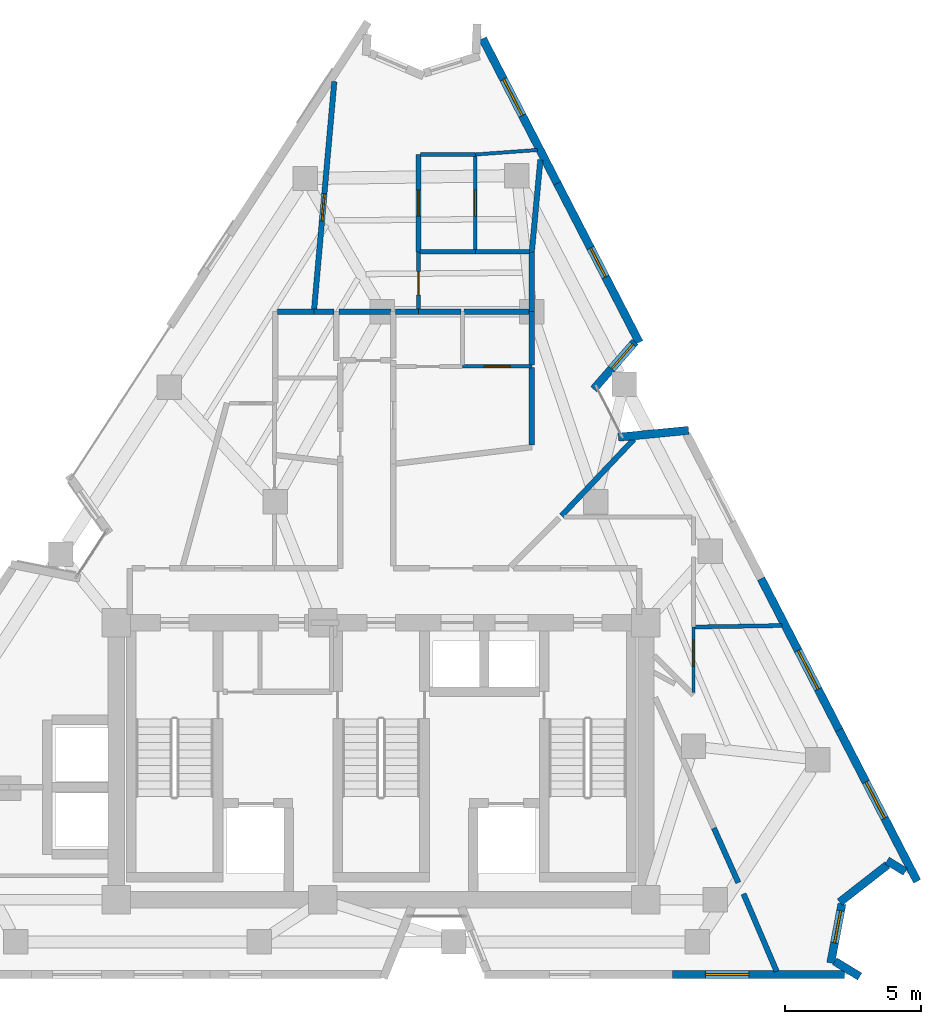
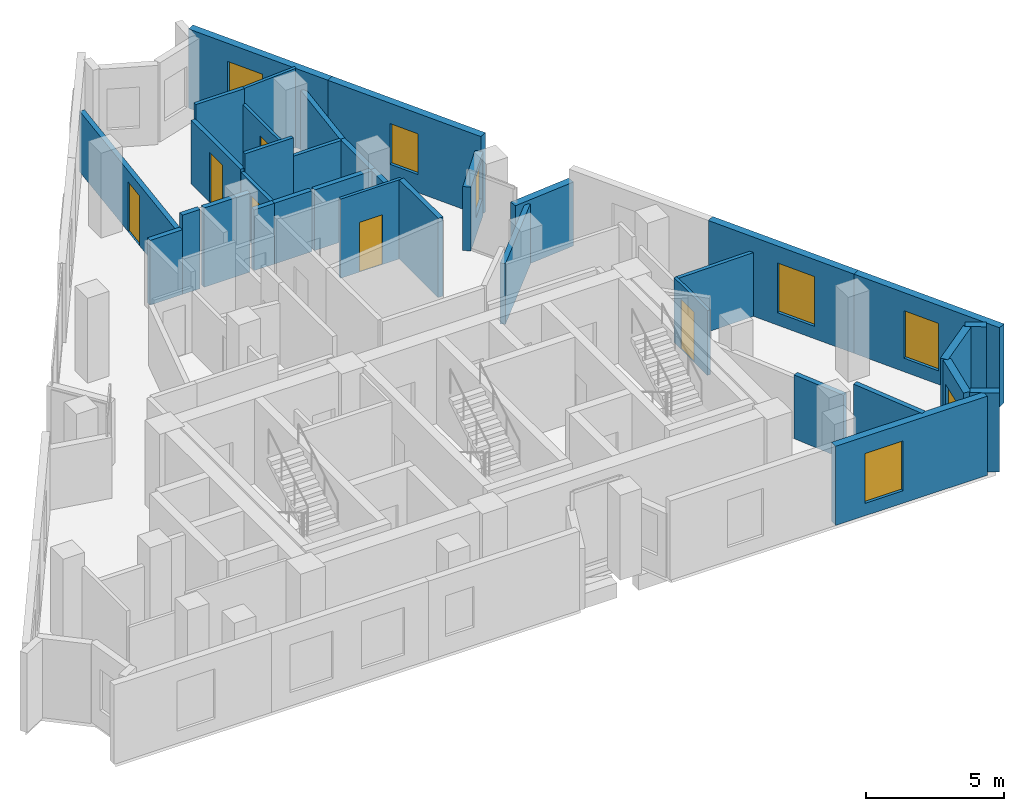
# One storey, part 7 of 9: 35 walls, 7 windows, 6 doors, 13 openings.
"""IFC4 building model written with IfcOpenShell, lengths in metres."""

from ifc_helpers import new_model, si_unit, direction, frame, frame_2d, origin, place, context, subcontext, project, spatial, rectangle, extrude, material, layer, layer_set, type_object, element, fill, save


model = new_model("IFC4")

# Units and contexts
model_context = context("Model", 3, precision=1e-05, world=origin(), true_north=direction((0.0, 1.0)))
body_context = subcontext(model_context, "Body", "Model", "MODEL_VIEW")
ifc_project = project(units=[si_unit("LENGTHUNIT", "METRE"), si_unit("AREAUNIT", "SQUARE_METRE"), si_unit("VOLUMEUNIT", "CUBIC_METRE"), si_unit("PLANEANGLEUNIT", "RADIAN"), si_unit("MASSUNIT", "GRAM", prefix="KILO")], contexts=[model_context])

# Site, building, storey
site_placement = place(None, origin())
site = spatial("IfcSite", under=ifc_project, at=site_placement, CompositionType="ELEMENT")
building_placement = place(site_placement, origin())
building = spatial("IfcBuilding", under=site, at=building_placement, Name="Almagre Mirador Tower", CompositionType="ELEMENT")
storey_placement = place(building_placement, frame((0.0, 0.0, 214.5)))
storey = spatial("IfcBuildingStorey", under=building, at=storey_placement, Name="L55", CompositionType="ELEMENT", Elevation=214.5)

# Wall, opening, window
ifc_material_1 = material(Name="Precast concrete C50/60", Category="concrete")
ifc_layer_1 = layer(ifc_material_1, 0.300048828125)
ifc_layer_set_1 = layer_set([ifc_layer_1], Name="Precast concrete C50/60")
wall_type_1 = type_object("IfcWallType", Name="WAL-EXT-300", PredefinedType="SOLIDWALL", material=ifc_layer_set_1)
wall_1_placement = place(storey_placement, frame((41.039306640625, 36.2451171875, 0.0), z_axis=(0.0, 0.0, 1.0), x_axis=(0.458292150172, -0.888801611773, 0.0)))
wall_1 = element("IfcWall", 1, at=wall_1_placement, inside=storey, type_object=wall_type_1, Name="L55 expressed almagre precast frame wall 09", PredefinedType="SOLIDWALL", context=body_context, shape_type="SweptSolid", body=[
    extrude(rectangle(XDim=5.9931640625, YDim=0.300048828125, at=frame_2d((2.99658203125, 0.0))), origin(), (0.0, 0.0, 1.0), 3.5),
])
opening_1_placement = place(wall_1_placement, frame((1.68505859375, 0.0, 0.60009765625)))
opening_1 = element("IfcOpeningElement", 2, at=opening_1_placement, cuts=wall_1, Name="Opening WN-03", PredefinedType="OPENING", context=body_context, shape_type="SweptSolid", body=[
    extrude(rectangle(XDim=1.5, YDim=2.10009765625, at=frame_2d((0.75, 1.050048828125))), frame((0.0, 0.159902, 0.0), z_axis=(0.0, -1.0, 0.0), x_axis=(1.0, 0.0, 0.0)), (0.0, 0.0, 1.0), 0.320049),
])
ifc_material_2 = material(Name="Dark solar-control laminated hurricane glass", Category="glass")
window_type_1 = type_object("IfcWindowType", Name="WIN-1500X2100", PartitioningType="DOUBLE_PANEL_VERTICAL", PredefinedType="WINDOW", material=ifc_material_2)
window_1_placement = place(opening_1_placement, origin())
window_1 = element("IfcWindow", 3, at=window_1_placement, inside=storey, type_object=window_type_1, Name="L55 recessed hurricane window L55-UL-ST", OverallHeight=2.10009765625, OverallWidth=1.5, PartitioningType="SINGLE_PANEL", PredefinedType="WINDOW", context=body_context, shape_type="SweptSolid", body=[
    extrude(rectangle(XDim=1.5, YDim=2.10009765625, at=frame_2d((0.75, 1.050048828125))), frame((0.0, 0.030029296875, 0.0), z_axis=(0.0, -1.0, 0.0), x_axis=(1.0, 0.0, 0.0)), (0.0, 0.0, 1.0), 0.06005859375),
])
fill(opening_1, window_1)

wall_2_placement = place(storey_placement, frame((43.785888671875, 30.91845703125, 0.0), z_axis=(0.0, 0.0, 1.0), x_axis=(0.458349099599, -0.888772244671, 0.0)))
wall_2 = element("IfcWall", 4, at=wall_2_placement, inside=storey, type_object=wall_type_1, Name="L55 expressed almagre precast frame wall 10", PredefinedType="SOLIDWALL", context=body_context, shape_type="SweptSolid", body=[
    extrude(rectangle(XDim=6.5830078125, YDim=0.300048828125, at=frame_2d((3.29150390625, 0.0))), origin(), (0.0, 0.0, 1.0), 3.5),
])
opening_2_placement = place(wall_2_placement, frame((2.675048828125, 0.0, 0.800048828125)))
opening_2 = element("IfcOpeningElement", 5, at=opening_2_placement, cuts=wall_2, Name="Opening WN-04", PredefinedType="OPENING", context=body_context, shape_type="SweptSolid", body=[
    extrude(rectangle(XDim=1.199951171875, YDim=1.800048828125, at=frame_2d((0.60009765625, 0.89990234375))), frame((0.0, 0.159902, 0.0), z_axis=(0.0, -1.0, 0.0), x_axis=(1.0, 0.0, 0.0)), (0.0, 0.0, 1.0), 0.320049),
])
ifc_material_3 = material(Name="Dark solar-control laminated hurricane glass", Category="glass")
window_type_2 = type_object("IfcWindowType", Name="WIN-1200X1800", PartitioningType="SINGLE_PANEL", PredefinedType="WINDOW", material=ifc_material_3)
window_2_placement = place(opening_2_placement, origin())
window_2 = element("IfcWindow", 6, at=window_2_placement, inside=storey, type_object=window_type_2, Name="L55 recessed hurricane window L55-RST-K", OverallHeight=1.800048828125, OverallWidth=1.199951171875, PartitioningType="SINGLE_PANEL", PredefinedType="WINDOW", context=body_context, shape_type="SweptSolid", body=[
    extrude(rectangle(XDim=1.199951171875, YDim=1.800048828125, at=frame_2d((0.60009765625, 0.89990234375))), frame((0.0, 0.030029296875, 0.0), z_axis=(0.0, -1.0, 0.0), x_axis=(1.0, 0.0, 0.0)), (0.0, 0.0, 1.0), 0.06005859375),
])
fill(opening_2, window_2)

wall_3_placement = place(storey_placement, frame((46.647216796875, 25.08642578125, 0.0), z_axis=(0.0, 0.0, 1.0), x_axis=(-0.656860073981, -0.754012495394, 0.0)))
wall_3 = element("IfcWall", 7, at=wall_3_placement, inside=storey, type_object=wall_type_1, Name="L55 expressed almagre precast frame wall 11", PredefinedType="SOLIDWALL", context=body_context, shape_type="SweptSolid", body=[
    extrude(rectangle(XDim=2.314453125, YDim=0.300048828125, at=frame_2d((1.1572265625, 0.0))), origin(), (0.0, 0.0, 1.0), 2.824951171875),
])
opening_3_placement = place(wall_3_placement, frame((0.1201171875, 0.0, 0.800048828125)))
opening_3 = element("IfcOpeningElement", 8, at=opening_3_placement, cuts=wall_3, Name="Opening WN-04", PredefinedType="OPENING", context=body_context, shape_type="SweptSolid", body=[
    extrude(rectangle(XDim=1.199951171875, YDim=1.800048828125, at=frame_2d((0.60009765625, 0.89990234375))), frame((0.0, 0.159902, 0.0), z_axis=(0.0, -1.0, 0.0), x_axis=(1.0, 0.0, 0.0)), (0.0, 0.0, 1.0), 0.320049),
])
window_3_placement = place(opening_3_placement, origin())
window_3 = element("IfcWindow", 9, at=window_3_placement, inside=storey, type_object=window_type_2, Name="L55 recessed hurricane window L55-RST-K", OverallHeight=1.800048828125, OverallWidth=1.199951171875, PartitioningType="SINGLE_PANEL", PredefinedType="WINDOW", context=body_context, shape_type="SweptSolid", body=[
    extrude(rectangle(XDim=1.199951171875, YDim=1.800048828125, at=frame_2d((0.60009765625, 0.89990234375))), frame((0.0, 0.030029296875, 0.0), z_axis=(0.0, -1.0, 0.0), x_axis=(1.0, 0.0, 0.0)), (0.0, 0.0, 1.0), 0.06005859375),
])
fill(opening_3, window_3)

# Wall
wall_4_placement = place(storey_placement, frame((46.03759765625, 21.575439453125, 0.0), z_axis=(0.0, 0.0, 1.0), x_axis=(0.995262869225, 0.097220476965, 0.0)))
element("IfcWall", 10, at=wall_4_placement, inside=storey, type_object=wall_type_1, Name="L55 expressed almagre precast frame wall 12", PredefinedType="SOLIDWALL", context=body_context, shape_type="SweptSolid", body=[
    extrude(rectangle(XDim=2.593994140625, YDim=0.300048828125, at=frame_2d((1.296875, 0.0))), origin(), (0.0, 0.0, 1.0), 2.824951171875),
])

# Wall, opening, window
wall_5_placement = place(storey_placement, frame((51.28759765625, 16.369140625, 0.0), z_axis=(0.0, 0.0, 1.0), x_axis=(0.458306446078, -0.88879424024, 0.0)))
wall_5 = element("IfcWall", 11, at=wall_5_placement, inside=storey, type_object=wall_type_1, Name="L55 expressed almagre precast frame wall 14", PredefinedType="SOLIDWALL", context=body_context, shape_type="SweptSolid", body=[
    extrude(rectangle(XDim=6.26611328125, YDim=0.300048828125, at=frame_2d((3.133056640625, 0.0))), origin(), (0.0, 0.0, 1.0), 3.5),
])
opening_4_placement = place(wall_5_placement, frame((2.97509765625, 0.0, 0.550048828125)))
opening_4 = element("IfcOpeningElement", 12, at=opening_4_placement, cuts=wall_5, Name="Opening WN-06", PredefinedType="OPENING", context=body_context, shape_type="SweptSolid", body=[
    extrude(rectangle(XDim=1.60009765625, YDim=2.199951171875, at=frame_2d((0.800048828125, 1.10009765625))), frame((0.0, 0.159902, 0.0), z_axis=(0.0, -1.0, 0.0), x_axis=(1.0, 0.0, 0.0)), (0.0, 0.0, 1.0), 0.320049),
])
ifc_material_4 = material(Name="Dark solar-control laminated hurricane glass", Category="glass")
window_type_3 = type_object("IfcWindowType", Name="WIN-1600X2200", PartitioningType="DOUBLE_PANEL_VERTICAL", PredefinedType="WINDOW", material=ifc_material_4)
window_4_placement = place(opening_4_placement, origin())
window_4 = element("IfcWindow", 13, at=window_4_placement, inside=storey, type_object=window_type_3, Name="L55 recessed hurricane window L55-UE-KT", OverallHeight=2.199951171875, OverallWidth=1.60009765625, PartitioningType="SINGLE_PANEL", PredefinedType="WINDOW", context=body_context, shape_type="SweptSolid", body=[
    extrude(rectangle(XDim=1.60009765625, YDim=2.199951171875, at=frame_2d((0.800048828125, 1.10009765625))), frame((0.0, 0.030029296875, 0.0), z_axis=(0.0, -1.0, 0.0), x_axis=(1.0, 0.0, 0.0)), (0.0, 0.0, 1.0), 0.06005859375),
])
fill(opening_4, window_4)

wall_6_placement = place(storey_placement, frame((54.159423828125, 10.7998046875, 0.0), z_axis=(0.0, 0.0, 1.0), x_axis=(0.458322317218, -0.888786056113, 0.0)))
wall_6 = element("IfcWall", 14, at=wall_6_placement, inside=storey, type_object=wall_type_1, Name="L55 expressed almagre precast frame wall 15", PredefinedType="SOLIDWALL", context=body_context, shape_type="SweptSolid", body=[
    extrude(rectangle(XDim=6.265869140625, YDim=0.300048828125, at=frame_2d((3.1328125, 0.0))), origin(), (0.0, 0.0, 1.0), 3.5),
])
opening_5_placement = place(wall_6_placement, frame((2.14990234375, 0.0, 0.60009765625)))
opening_5 = element("IfcOpeningElement", 15, at=opening_5_placement, cuts=wall_6, Name="Opening WN-03", PredefinedType="OPENING", context=body_context, shape_type="SweptSolid", body=[
    extrude(rectangle(XDim=1.5, YDim=2.10009765625, at=frame_2d((0.75, 1.050048828125))), frame((0.0, 0.159902, 0.0), z_axis=(0.0, -1.0, 0.0), x_axis=(1.0, 0.0, 0.0)), (0.0, 0.0, 1.0), 0.320049),
])
window_5_placement = place(opening_5_placement, origin())
window_5 = element("IfcWindow", 16, at=window_5_placement, inside=storey, type_object=window_type_1, Name="L55 recessed hurricane window L55-UE-KT", OverallHeight=2.10009765625, OverallWidth=1.5, PartitioningType="SINGLE_PANEL", PredefinedType="WINDOW", context=body_context, shape_type="SweptSolid", body=[
    extrude(rectangle(XDim=1.5, YDim=2.10009765625, at=frame_2d((0.75, 1.050048828125))), frame((0.0, 0.030029296875, 0.0), z_axis=(0.0, -1.0, 0.0), x_axis=(1.0, 0.0, 0.0)), (0.0, 0.0, 1.0), 0.06005859375),
])
fill(opening_5, window_5)

# Walls
wall_7_placement = place(storey_placement, frame((56.595458984375, 5.581298828125, 0.0), z_axis=(0.0, 0.0, 1.0), x_axis=(-0.853681479387, 0.520795479772, 0.0)))
element("IfcWall", 17, at=wall_7_placement, inside=storey, type_object=wall_type_1, Name="L55 expressed almagre precast frame wall 16", PredefinedType="SOLIDWALL", context=body_context, shape_type="SweptSolid", body=[
    extrude(rectangle(XDim=0.78466796875, YDim=0.300048828125, at=frame_2d((0.392333984375, 0.0))), origin(), (0.0, 0.0, 1.0), 3.5),
])
wall_8_placement = place(storey_placement, frame((55.938720703125, 5.833984375, 0.0), z_axis=(0.0, 0.0, 1.0), x_axis=(-0.788331324268, -0.615250943256, 0.0)))
element("IfcWall", 18, at=wall_8_placement, inside=storey, type_object=wall_type_1, Name="L55 expressed almagre precast frame wall 17", PredefinedType="SOLIDWALL", context=body_context, shape_type="SweptSolid", body=[
    extrude(rectangle(XDim=2.22998046875, YDim=0.300048828125, at=frame_2d((1.114990234375, 0.0))), origin(), (0.0, 0.0, 1.0), 3.5),
])

# Wall, opening, window
wall_9_placement = place(storey_placement, frame((54.26318359375, 4.400634765625, 0.0), z_axis=(0.0, 0.0, 1.0), x_axis=(-0.185632792315, -0.982619186876, 0.0)))
wall_9 = element("IfcWall", 19, at=wall_9_placement, inside=storey, type_object=wall_type_1, Name="L55 expressed almagre precast frame wall 18", PredefinedType="SOLIDWALL", context=body_context, shape_type="SweptSolid", body=[
    extrude(rectangle(XDim=2.21484375, YDim=0.300048828125, at=frame_2d((1.107421875, 0.0))), origin(), (0.0, 0.0, 1.0), 3.5),
])
opening_6_placement = place(wall_9_placement, frame((0.260009765625, 0.0, 0.800048828125)))
opening_6 = element("IfcOpeningElement", 20, at=opening_6_placement, cuts=wall_9, Name="Opening WN-04", PredefinedType="OPENING", context=body_context, shape_type="SweptSolid", body=[
    extrude(rectangle(XDim=1.199951171875, YDim=1.800048828125, at=frame_2d((0.60009765625, 0.89990234375))), frame((0.0, 0.159902, 0.0), z_axis=(0.0, -1.0, 0.0), x_axis=(1.0, 0.0, 0.0)), (0.0, 0.0, 1.0), 0.320049),
])
window_6_placement = place(opening_6_placement, origin())
window_6 = element("IfcWindow", 21, at=window_6_placement, inside=storey, type_object=window_type_2, Name="L55 recessed hurricane window L55-RST-C", OverallHeight=1.800048828125, OverallWidth=1.199951171875, PartitioningType="SINGLE_PANEL", PredefinedType="WINDOW", context=body_context, shape_type="SweptSolid", body=[
    extrude(rectangle(XDim=1.199951171875, YDim=1.800048828125, at=frame_2d((0.60009765625, 0.89990234375))), frame((0.0, 0.030029296875, 0.0), z_axis=(0.0, -1.0, 0.0), x_axis=(1.0, 0.0, 0.0)), (0.0, 0.0, 1.0), 0.06005859375),
])
fill(opening_6, window_6)

# Wall
wall_10_placement = place(storey_placement, frame((53.99755859375, 2.2890625, 0.0), z_axis=(0.0, 0.0, 1.0), x_axis=(0.853840299064, -0.520535055203, 0.0)))
element("IfcWall", 22, at=wall_10_placement, inside=storey, type_object=wall_type_1, Name="L55 expressed almagre precast frame wall 19", PredefinedType="SOLIDWALL", context=body_context, shape_type="SweptSolid", body=[
    extrude(rectangle(XDim=1.07958984375, YDim=0.300048828125, at=frame_2d((0.539794921875, 0.0))), origin(), (0.0, 0.0, 1.0), 3.5),
])

# Wall, opening, window
wall_11_placement = place(storey_placement, frame((54.360107421875, 1.800048828125, 0.0), z_axis=(0.0, 0.0, 1.0), x_axis=(-1.0, 0.0, 0.0)))
wall_11 = element("IfcWall", 23, at=wall_11_placement, inside=storey, type_object=wall_type_1, Name="L55 expressed almagre precast frame wall 20", PredefinedType="SOLIDWALL", context=body_context, shape_type="SweptSolid", body=[
    extrude(rectangle(XDim=6.338134765625, YDim=0.300048828125, at=frame_2d((3.1689453125, 0.0))), origin(), (0.0, 0.0, 1.0), 3.5),
])
opening_7_placement = place(wall_11_placement, frame((3.52001953125, 0.0, 0.550048828125)))
opening_7 = element("IfcOpeningElement", 24, at=opening_7_placement, cuts=wall_11, Name="Opening WN-06", PredefinedType="OPENING", context=body_context, shape_type="SweptSolid", body=[
    extrude(rectangle(XDim=1.60009765625, YDim=2.199951171875, at=frame_2d((0.800048828125, 1.10009765625))), frame((0.0, 0.159902, 0.0), z_axis=(0.0, -1.0, 0.0), x_axis=(1.0, 0.0, 0.0)), (0.0, 0.0, 1.0), 0.320049),
])
window_7_placement = place(opening_7_placement, origin())
window_7 = element("IfcWindow", 25, at=window_7_placement, inside=storey, type_object=window_type_3, Name="L55 recessed hurricane window L55-UB-ST", OverallHeight=2.199951171875, OverallWidth=1.60009765625, PartitioningType="SINGLE_PANEL", PredefinedType="WINDOW", context=body_context, shape_type="SweptSolid", body=[
    extrude(rectangle(XDim=1.60009765625, YDim=2.199951171875, at=frame_2d((0.800048828125, 1.10009765625))), frame((0.0, 0.030029296875, 0.0), z_axis=(0.0, -1.0, 0.0), x_axis=(1.0, 0.0, 0.0)), (0.0, 0.0, 1.0), 0.06005859375),
])
fill(opening_7, window_7)

# Wall, opening, door
ifc_material_5 = material(Name="Gypsum acoustic stud partition", Category="other")
ifc_layer_2 = layer(ifc_material_5, 0.125)
ifc_layer_set_2 = layer_set([ifc_layer_2], Name="Gypsum acoustic stud partition")
wall_type_2 = type_object("IfcWallType", Name="WAL-PRT-125-UTL", PredefinedType="PARTITIONING", material=ifc_layer_set_2)
wall_12_placement = place(storey_placement, frame((48.800048828125, 12.175048828125, 0.0), z_axis=(0.0, 0.0, 1.0), x_axis=(0.0, 1.0, 0.0)))
wall_12 = element("IfcWall", 26, at=wall_12_placement, inside=storey, type_object=wall_type_2, Name="L55 interior partition 036", PredefinedType="PARTITIONING", context=body_context, shape_type="SweptSolid", body=[
    extrude(rectangle(XDim=2.4150390625, YDim=0.125, at=frame_2d((1.20751953125, 0.0))), origin(), (0.0, 0.0, 1.0), 2.85888671875),
])
opening_8_placement = place(wall_12_placement, frame((0.978515625, 0.0, 0.0)))
opening_8 = element("IfcOpeningElement", 27, at=opening_8_placement, cuts=wall_12, Name="Opening UD-01", PredefinedType="OPENING", context=body_context, shape_type="SweptSolid", body=[
    extrude(rectangle(XDim=0.949951171875, YDim=2.199951171875, at=frame_2d((0.47509765625, 1.10009765625))), frame((0.0, 0.0725, 0.0), z_axis=(0.0, -1.0, 0.0), x_axis=(1.0, 0.0, 0.0)), (0.0, 0.0, 1.0), 0.145),
])
ifc_material_6 = material(Name="Solid American walnut timber", Category="wood")
door_type_1 = type_object("IfcDoorType", Name="DOR-UNR-950X2200", OperationType="NOTDEFINED", PredefinedType="DOOR", material=ifc_material_6)
door_1_placement = place(opening_8_placement, origin())
door_1 = element("IfcDoor", 28, at=door_1_placement, inside=storey, type_object=door_type_1, Name="DR-1708 L55 interior door L55-UE-ST to L55-UE-KT", OperationType="SINGLE_SWING_RIGHT", OverallHeight=2.199951171875, OverallWidth=0.949951171875, PredefinedType="DOOR", context=body_context, shape_type="SweptSolid", body=[
    extrude(rectangle(XDim=0.949951171875, YDim=2.199951171875, at=frame_2d((0.47509765625, 1.10009765625))), frame((0.0, 0.02490234375, 0.0), z_axis=(0.0, -1.0, 0.0), x_axis=(1.0, 0.0, 0.0)), (0.0, 0.0, 1.0), 0.050048828125),
])
fill(opening_8, door_1)

wall_13_placement = place(storey_placement, frame((42.85009765625, 24.179931640625, 0.0), z_axis=(0.0, 0.0, 1.0), x_axis=(-1.0, 0.0, 0.0)))
wall_13 = element("IfcWall", 29, at=wall_13_placement, inside=storey, type_object=wall_type_2, Name="L55 interior partition 059", PredefinedType="PARTITIONING", context=body_context, shape_type="SweptSolid", body=[
    extrude(rectangle(XDim=2.550048828125, YDim=0.125, at=frame_2d((1.27490234375, 0.0))), origin(), (0.0, 0.0, 1.0), 3.5),
])
opening_9_placement = place(wall_13_placement, frame((0.800048828125, 0.0, 0.0)))
opening_9 = element("IfcOpeningElement", 30, at=opening_9_placement, cuts=wall_13, Name="Opening UD-01", PredefinedType="OPENING", context=body_context, shape_type="SweptSolid", body=[
    extrude(rectangle(XDim=0.949951171875, YDim=2.199951171875, at=frame_2d((0.47509765625, 1.10009765625))), frame((0.0, 0.0725, 0.0), z_axis=(0.0, -1.0, 0.0), x_axis=(1.0, 0.0, 0.0)), (0.0, 0.0, 1.0), 0.145),
])
door_2_placement = place(opening_9_placement, origin())
door_2 = element("IfcDoor", 31, at=door_2_placement, inside=storey, type_object=door_type_1, Name="DR-1714 L55 interior door L55-UJ-ST to L55-UJ-KT", OperationType="SINGLE_SWING_LEFT", OverallHeight=2.199951171875, OverallWidth=0.949951171875, PredefinedType="DOOR", context=body_context, shape_type="SweptSolid", body=[
    extrude(rectangle(XDim=0.949951171875, YDim=2.199951171875, at=frame_2d((0.47509765625, 1.10009765625))), frame((0.0, 0.02490234375, 0.0), z_axis=(0.0, -1.0, 0.0), x_axis=(1.0, 0.0, 0.0)), (0.0, 0.0, 1.0), 0.050048828125),
])
fill(opening_9, door_2)

# Wall
wall_14_placement = place(storey_placement, frame((40.77001953125, 31.97998046875, 0.0), z_axis=(0.0, 0.0, 1.0), x_axis=(0.997397150256, 0.072103568984, 0.0)))
element("IfcWall", 32, at=wall_14_placement, inside=storey, type_object=wall_type_2, Name="L55 interior partition 071", PredefinedType="PARTITIONING", context=body_context, shape_type="SweptSolid", body=[
    extrude(rectangle(XDim=2.288818359375, YDim=0.125, at=frame_2d((1.14453125, 0.0))), origin(), (0.0, 0.0, 1.0), 3.5),
])

# Wall, opening, door
wall_15_placement = place(storey_placement, frame((40.77001953125, 31.9326171875, 0.0), z_axis=(0.0, 0.0, 1.0), x_axis=(0.0, -1.0, 0.0)))
wall_15 = element("IfcWall", 33, at=wall_15_placement, inside=storey, type_object=wall_type_2, Name="L55 interior partition 076", PredefinedType="PARTITIONING", context=body_context, shape_type="SweptSolid", body=[
    extrude(rectangle(XDim=3.47265625, YDim=0.125, at=frame_2d((1.736328125, 0.0))), origin(), (0.0, 0.0, 1.0), 2.820068359375),
])
opening_10_placement = place(wall_15_placement, frame((1.267578125, 0.0, 0.0)))
opening_10 = element("IfcOpeningElement", 34, at=opening_10_placement, cuts=wall_15, Name="Opening UD-01", PredefinedType="OPENING", context=body_context, shape_type="SweptSolid", body=[
    extrude(rectangle(XDim=0.949951171875, YDim=2.199951171875, at=frame_2d((0.47509765625, 1.10009765625))), frame((0.0, 0.0725, 0.0), z_axis=(0.0, -1.0, 0.0), x_axis=(1.0, 0.0, 0.0)), (0.0, 0.0, 1.0), 0.145),
])
door_3_placement = place(opening_10_placement, origin())
door_3 = element("IfcDoor", 35, at=door_3_placement, inside=storey, type_object=door_type_1, Name="DR-1716 L55 interior door L55-UL-KT to L55-UL-ST1", OperationType="SINGLE_SWING_RIGHT", OverallHeight=2.199951171875, OverallWidth=0.949951171875, PredefinedType="DOOR", context=body_context, shape_type="SweptSolid", body=[
    extrude(rectangle(XDim=0.949951171875, YDim=2.199951171875, at=frame_2d((0.47509765625, 1.10009765625))), frame((0.0, 0.02490234375, 0.0), z_axis=(0.0, -1.0, 0.0), x_axis=(1.0, 0.0, 0.0)), (0.0, 0.0, 1.0), 0.050048828125),
])
fill(opening_10, door_3)

# Wall
ifc_material_7 = material(Name="Gypsum acoustic stud partition", Category="other")
ifc_layer_3 = layer(ifc_material_7, 0.14990234375)
ifc_layer_set_3 = layer_set([ifc_layer_3], Name="Gypsum acoustic stud partition")
wall_type_3 = type_object("IfcWallType", Name="WAL-PRT-150-STD", PredefinedType="PARTITIONING", material=ifc_layer_set_3)
wall_16_placement = place(storey_placement, frame((52.051025390625, 14.64306640625, 0.0), z_axis=(0.0, 0.0, 1.0), x_axis=(-0.999865797865, -0.016382498593, 0.0)))
element("IfcWall", 36, at=wall_16_placement, inside=storey, type_object=wall_type_3, Name="L55 interior partition 041", PredefinedType="PARTITIONING", context=body_context, shape_type="SweptSolid", body=[
    extrude(rectangle(XDim=3.2041015625, YDim=0.14990234375, at=frame_2d((1.60205078125, 0.0))), origin(), (0.0, 0.0, 1.0), 2.820068359375),
])

# Wall, opening, door
wall_17_placement = place(storey_placement, frame((38.679931640625, 26.284912109375, 0.0), z_axis=(0.0, 0.0, 1.0), x_axis=(0.0, 1.0, 0.0)))
wall_17 = element("IfcWall", 37, at=wall_17_placement, inside=storey, type_object=wall_type_3, Name="L55 interior partition 070", PredefinedType="PARTITIONING", context=body_context, shape_type="SweptSolid", body=[
    extrude(rectangle(XDim=2.114990234375, YDim=0.14990234375, at=frame_2d((1.0576171875, 0.0))), origin(), (0.0, 0.0, 1.0), 2.68505859375),
])
opening_11_placement = place(wall_17_placement, frame((0.530517578125, 0.0, 0.0)))
opening_11 = element("IfcOpeningElement", 38, at=opening_11_placement, cuts=wall_17, Name="Opening UD-04", PredefinedType="OPENING", context=body_context, shape_type="SweptSolid", body=[
    extrude(rectangle(XDim=0.85009765625, YDim=2.10009765625, at=frame_2d((0.425048828125, 1.050048828125))), frame((0.0, 0.084951, 0.0), z_axis=(0.0, -1.0, 0.0), x_axis=(1.0, 0.0, 0.0)), (0.0, 0.0, 1.0), 0.169902),
])
ifc_material_8 = material(Name="Moisture-resistant oak timber", Category="wood")
door_type_2 = type_object("IfcDoorType", Name="DOR-UNR-850X2100", OperationType="NOTDEFINED", PredefinedType="DOOR", material=ifc_material_8)
door_4_placement = place(opening_11_placement, origin())
door_4 = element("IfcDoor", 39, at=door_4_placement, inside=storey, type_object=door_type_2, Name="DR-1718 L55 interior door L55-UL-ST to L55-UL-HB", OperationType="SINGLE_SWING_RIGHT", OverallHeight=2.10009765625, OverallWidth=0.85009765625, PredefinedType="DOOR", context=body_context, shape_type="SweptSolid", body=[
    extrude(rectangle(XDim=0.85009765625, YDim=2.10009765625, at=frame_2d((0.425048828125, 1.050048828125))), frame((0.0, 0.02490234375, 0.0), z_axis=(0.0, -1.0, 0.0), x_axis=(1.0, 0.0, 0.0)), (0.0, 0.0, 1.0), 0.050048828125),
])
fill(opening_11, door_4)

# Walls
wall_18_placement = place(storey_placement, frame((38.75244140625, 31.97998046875, 0.0), z_axis=(0.0, 0.0, 1.0), x_axis=(1.0, 0.0, 0.0)))
element("IfcWall", 40, at=wall_18_placement, inside=storey, type_object=wall_type_3, Name="L55 interior partition 073", PredefinedType="PARTITIONING", context=body_context, shape_type="SweptSolid", body=[
    extrude(rectangle(XDim=2.017578125, YDim=0.14990234375, at=frame_2d((1.0087890625, 0.0))), origin(), (0.0, 0.0, 1.0), 3.5),
])
wall_19_placement = place(storey_placement, frame((42.764892578125, 28.39990234375, 0.0), z_axis=(0.0, 0.0, 1.0), x_axis=(-1.0, 0.0, 0.0)))
element("IfcWall", 41, at=wall_19_placement, inside=storey, type_object=wall_type_3, Name="L55 interior partition 074", PredefinedType="PARTITIONING", context=body_context, shape_type="SweptSolid", body=[
    extrude(rectangle(XDim=1.994873046875, YDim=0.14990234375, at=frame_2d((0.99755859375, 0.0))), origin(), (0.0, 0.0, 1.0), 2.68505859375),
])
wall_20_placement = place(storey_placement, frame((40.77001953125, 28.39990234375, 0.0), z_axis=(0.0, 0.0, 1.0), x_axis=(-1.0, 0.0, 0.0)))
element("IfcWall", 42, at=wall_20_placement, inside=storey, type_object=wall_type_3, Name="L55 interior partition 075", PredefinedType="PARTITIONING", context=body_context, shape_type="SweptSolid", body=[
    extrude(rectangle(XDim=2.030029296875, YDim=0.14990234375, at=frame_2d((1.01513671875, 0.0))), origin(), (0.0, 0.0, 1.0), 3.5),
])

# Wall, opening, door
ifc_material_9 = material(Name="Gypsum acoustic stud partition", Category="other")
ifc_layer_4 = layer(ifc_material_9, 0.175048828125)
ifc_layer_set_4 = layer_set([ifc_layer_4], Name="Gypsum acoustic stud partition")
wall_type_4 = type_object("IfcWallType", Name="WAL-PRT-175-AC", PredefinedType="PARTITIONING", material=ifc_layer_set_4)
wall_21_placement = place(storey_placement, frame((38.679931640625, 28.39990234375, 0.0), z_axis=(0.0, 0.0, 1.0), x_axis=(0.0, 1.0, 0.0)))
wall_21 = element("IfcWall", 43, at=wall_21_placement, inside=storey, type_object=wall_type_4, Name="L55 interior partition 072", PredefinedType="PARTITIONING", context=body_context, shape_type="SweptSolid", body=[
    extrude(rectangle(XDim=3.580078125, YDim=0.175048828125, at=frame_2d((1.7900390625, 0.0))), origin(), (0.0, 0.0, 1.0), 2.820068359375),
])
opening_12_placement = place(wall_21_placement, frame((1.31494140625, 0.0, 0.0)))
opening_12 = element("IfcOpeningElement", 44, at=opening_12_placement, cuts=wall_21, Name="Opening UD-01", PredefinedType="OPENING", context=body_context, shape_type="SweptSolid", body=[
    extrude(rectangle(XDim=0.949951171875, YDim=2.199951171875, at=frame_2d((0.47509765625, 1.10009765625))), frame((0.0, 0.097402, 0.0), z_axis=(0.0, -1.0, 0.0), x_axis=(1.0, 0.0, 0.0)), (0.0, 0.0, 1.0), 0.195049),
])
door_5_placement = place(opening_12_placement, origin())
door_5 = element("IfcDoor", 45, at=door_5_placement, inside=storey, type_object=door_type_1, Name="DR-1717 L55 interior door L55-UL-ST to L55-UL-ST1", OperationType="SINGLE_SWING_LEFT", OverallHeight=2.199951171875, OverallWidth=0.949951171875, PredefinedType="DOOR", context=body_context, shape_type="SweptSolid", body=[
    extrude(rectangle(XDim=0.949951171875, YDim=2.199951171875, at=frame_2d((0.47509765625, 1.10009765625))), frame((0.0, 0.02490234375, 0.0), z_axis=(0.0, -1.0, 0.0), x_axis=(1.0, 0.0, 0.0)), (0.0, 0.0, 1.0), 0.050048828125),
])
fill(opening_12, door_5)

# Walls
ifc_material_10 = material(Name="Gypsum acoustic stud partition", Category="other")
ifc_layer_5 = layer(ifc_material_10, 0.199951171875)
ifc_layer_set_5 = layer_set([ifc_layer_5], Name="Gypsum acoustic stud partition")
wall_type_5 = type_object("IfcWallType", Name="WAL-PRT-200-EI60", PredefinedType="PARTITIONING", material=ifc_layer_set_5)
wall_22_placement = place(storey_placement, frame((50.449951171875, 5.179931640625, 0.0), z_axis=(0.0, 0.0, 1.0), x_axis=(-0.408626143047, 0.912701854506, 0.0)))
element("IfcWall", 46, at=wall_22_placement, inside=storey, type_object=wall_type_5, Name="L55 interior partition 026", PredefinedType="PARTITIONING", context=body_context, shape_type="SweptSolid", body=[
    extrude(rectangle(XDim=2.2021484375, YDim=0.199951171875, at=frame_2d((1.10107421875, 0.0))), origin(), (0.0, 0.0, 1.0), 2.820068359375),
])
wall_23_placement = place(storey_placement, frame((51.860107421875, 1.91796875, 0.0), z_axis=(0.0, 0.0, 1.0), x_axis=(-0.393349316575, 0.919389098886, 0.0)))
element("IfcWall", 47, at=wall_23_placement, inside=storey, type_object=wall_type_5, Name="L55 interior partition 027", PredefinedType="PARTITIONING", context=body_context, shape_type="SweptSolid", body=[
    extrude(rectangle(XDim=3.10205078125, YDim=0.199951171875, at=frame_2d((1.551025390625, 0.0))), origin(), (0.0, 0.0, 1.0), 3.5),
])
wall_24_placement = place(storey_placement, frame((46.60400390625, 21.498046875, 0.0), z_axis=(0.0, 0.0, 1.0), x_axis=(-0.687141431113, -0.72652367728, 0.0)))
element("IfcWall", 48, at=wall_24_placement, inside=storey, type_object=wall_type_5, Name="L55 interior partition 042", PredefinedType="PARTITIONING", context=body_context, shape_type="SweptSolid", body=[
    extrude(rectangle(XDim=3.87451171875, YDim=0.199951171875, at=frame_2d((1.937255859375, 0.0))), origin(), (0.0, 0.0, 1.0), 2.68505859375),
])
wall_25_placement = place(storey_placement, frame((33.485107421875, 26.199951171875, 0.0), z_axis=(0.0, 0.0, 1.0), x_axis=(1.0, 0.0, 0.0)))
element("IfcWall", 49, at=wall_25_placement, inside=storey, type_object=wall_type_5, Name="L55 interior partition 051", PredefinedType="PARTITIONING", context=body_context, shape_type="SweptSolid", body=[
    extrude(rectangle(XDim=1.344970703125, YDim=0.199951171875, at=frame_2d((0.67236328125, 0.0))), origin(), (0.0, 0.0, 1.0), 2.85888671875),
])

# Wall, opening, door
wall_26_placement = place(storey_placement, frame((34.837890625, 26.28466796875, 0.0), z_axis=(0.0, 0.0, 1.0), x_axis=(0.088352923437, 0.996089233412, 0.0)))
wall_26 = element("IfcWall", 50, at=wall_26_placement, inside=storey, type_object=wall_type_5, Name="L55 interior partition 052", PredefinedType="PARTITIONING", context=body_context, shape_type="SweptSolid", body=[
    extrude(rectangle(XDim=8.411376953125, YDim=0.199951171875, at=frame_2d((4.20556640625, 0.0))), origin(), (0.0, 0.0, 1.0), 2.68505859375),
])
opening_13_placement = place(wall_26_placement, frame((3.263671875, 0.0, 0.0)))
opening_13 = element("IfcOpeningElement", 51, at=opening_13_placement, cuts=wall_26, Name="Opening ID-01", PredefinedType="OPENING", context=body_context, shape_type="SweptSolid", body=[
    extrude(rectangle(XDim=1.0, YDim=2.199951171875, at=frame_2d((0.5, 1.10009765625))), frame((0.0, 0.110098, 0.0), z_axis=(0.0, -1.0, 0.0), x_axis=(1.0, 0.0, 0.0)), (0.0, 0.0, 1.0), 0.219951),
])
ifc_material_11 = material(Name="Fire-rated walnut timber", Category="wood")
door_type_3 = type_object("IfcDoorType", Name="DOR-FD60-1000X2200", OperationType="NOTDEFINED", PredefinedType="DOOR", material=ifc_material_11)
door_6_placement = place(opening_13_placement, origin())
door_6 = element("IfcDoor", 52, at=door_6_placement, inside=storey, type_object=door_type_3, Name="DR-1719 L55 interior door L55-UG-KT to L55-UL-ST", OperationType="SINGLE_SWING_LEFT", OverallHeight=2.199951171875, OverallWidth=1.0, PredefinedType="DOOR", context=body_context, shape_type="SweptSolid", body=[
    extrude(rectangle(XDim=1.0, YDim=2.199951171875, at=frame_2d((0.5, 1.10009765625))), frame((0.0, 0.02490234375, 0.0), z_axis=(0.0, -1.0, 0.0), x_axis=(1.0, 0.0, 0.0)), (0.0, 0.0, 1.0), 0.050048828125),
])
fill(opening_13, door_6)

# Walls
wall_27_placement = place(storey_placement, frame((37.6650390625, 26.199951171875, 0.0), z_axis=(0.0, 0.0, 1.0), x_axis=(-1.0, 0.0, 0.0)))
element("IfcWall", 53, at=wall_27_placement, inside=storey, type_object=wall_type_5, Name="L55 interior partition 056", PredefinedType="PARTITIONING", context=body_context, shape_type="SweptSolid", body=[
    extrude(rectangle(XDim=1.919921875, YDim=0.199951171875, at=frame_2d((0.9599609375, 0.0))), origin(), (0.0, 0.0, 1.0), 3.5),
])
wall_28_placement = place(storey_placement, frame((35.574951171875, 26.199951171875, 0.0), z_axis=(0.0, 0.0, 1.0), x_axis=(-1.0, 0.0, 0.0)))
element("IfcWall", 54, at=wall_28_placement, inside=storey, type_object=wall_type_5, Name="L55 interior partition 058", PredefinedType="PARTITIONING", context=body_context, shape_type="SweptSolid", body=[
    extrude(rectangle(XDim=0.744873046875, YDim=0.199951171875, at=frame_2d((0.37255859375, 0.0))), origin(), (0.0, 0.0, 1.0), 3.5),
])
wall_29_placement = place(storey_placement, frame((42.85009765625, 21.294921875, 0.0), z_axis=(0.0, 0.0, 1.0), x_axis=(0.0, 1.0, 0.0)))
element("IfcWall", 55, at=wall_29_placement, inside=storey, type_object=wall_type_5, Name="L55 interior partition 062", PredefinedType="PARTITIONING", context=body_context, shape_type="SweptSolid", body=[
    extrude(rectangle(XDim=2.837646484375, YDim=0.199951171875, at=frame_2d((1.4189453125, 0.0))), origin(), (0.0, 0.0, 1.0), 3.5),
])
wall_30_placement = place(storey_placement, frame((42.85009765625, 24.2275390625, 0.0), z_axis=(0.0, 0.0, 1.0), x_axis=(0.0, 1.0, 0.0)))
element("IfcWall", 56, at=wall_30_placement, inside=storey, type_object=wall_type_5, Name="L55 interior partition 064", PredefinedType="PARTITIONING", context=body_context, shape_type="SweptSolid", body=[
    extrude(rectangle(XDim=1.972412109375, YDim=0.199951171875, at=frame_2d((0.986328125, 0.0))), origin(), (0.0, 0.0, 1.0), 2.68505859375),
])
wall_31_placement = place(storey_placement, frame((42.764892578125, 26.199951171875, 0.0), z_axis=(0.0, 0.0, 1.0), x_axis=(-1.0, 0.0, 0.0)))
element("IfcWall", 57, at=wall_31_placement, inside=storey, type_object=wall_type_5, Name="L55 interior partition 065", PredefinedType="PARTITIONING", context=body_context, shape_type="SweptSolid", body=[
    extrude(rectangle(XDim=2.40478515625, YDim=0.199951171875, at=frame_2d((1.202392578125, 0.0))), origin(), (0.0, 0.0, 1.0), 2.68505859375),
])
wall_32_placement = place(storey_placement, frame((38.679931640625, 26.199951171875, 0.0), z_axis=(0.0, 0.0, 1.0), x_axis=(-1.0, 0.0, 0.0)))
element("IfcWall", 58, at=wall_32_placement, inside=storey, type_object=wall_type_5, Name="L55 interior partition 066", PredefinedType="PARTITIONING", context=body_context, shape_type="SweptSolid", body=[
    extrude(rectangle(XDim=0.844970703125, YDim=0.199951171875, at=frame_2d((0.42236328125, 0.0))), origin(), (0.0, 0.0, 1.0), 2.68505859375),
])
wall_33_placement = place(storey_placement, frame((40.239990234375, 26.199951171875, 0.0), z_axis=(0.0, 0.0, 1.0), x_axis=(-1.0, 0.0, 0.0)))
element("IfcWall", 59, at=wall_33_placement, inside=storey, type_object=wall_type_5, Name="L55 interior partition 067", PredefinedType="PARTITIONING", context=body_context, shape_type="SweptSolid", body=[
    extrude(rectangle(XDim=1.56005859375, YDim=0.199951171875, at=frame_2d((0.780029296875, 0.0))), origin(), (0.0, 0.0, 1.0), 2.68505859375),
])
wall_34_placement = place(storey_placement, frame((42.85009765625, 28.39990234375, 0.0), z_axis=(0.0, 0.0, 1.0), x_axis=(0.0, -1.0, 0.0)))
element("IfcWall", 60, at=wall_34_placement, inside=storey, type_object=wall_type_5, Name="L55 interior partition 068", PredefinedType="PARTITIONING", context=body_context, shape_type="SweptSolid", body=[
    extrude(rectangle(XDim=2.199951171875, YDim=0.199951171875, at=frame_2d((1.10009765625, 0.0))), origin(), (0.0, 0.0, 1.0), 2.68505859375),
])
wall_35_placement = place(storey_placement, frame((43.1640625, 31.784912109375, 0.0), z_axis=(0.0, 0.0, 1.0), x_axis=(-0.092355124874, -0.995726132483, 0.0)))
element("IfcWall", 61, at=wall_35_placement, inside=storey, type_object=wall_type_5, Name="L55 interior partition 069", PredefinedType="PARTITIONING", context=body_context, shape_type="SweptSolid", body=[
    extrude(rectangle(XDim=3.399658203125, YDim=0.199951171875, at=frame_2d((1.69970703125, 0.0))), origin(), (0.0, 0.0, 1.0), 2.68505859375),
])

save(model, "model.ifc")
